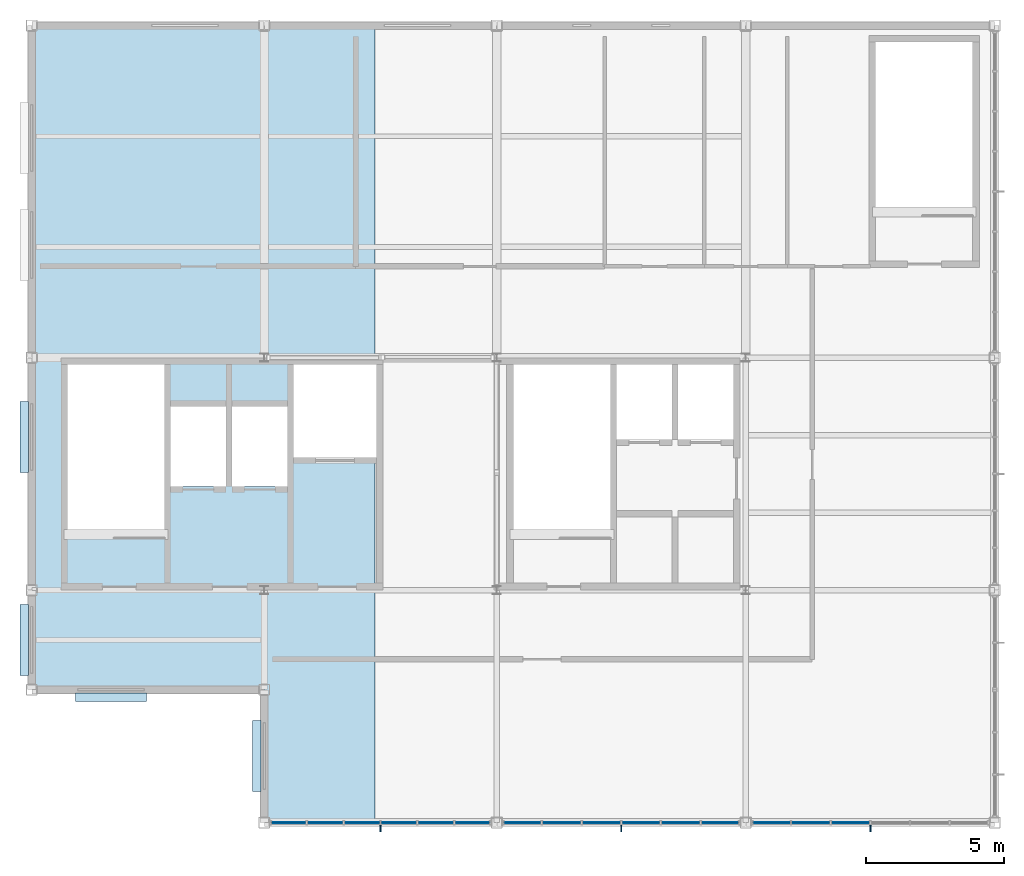
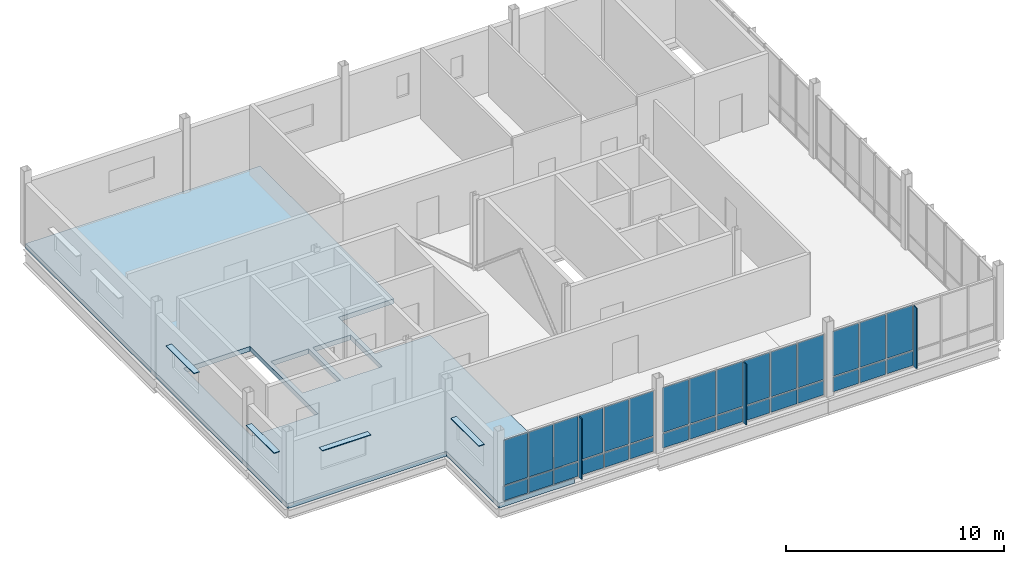
# One storey, part 9 of 15: 37 plates, 1 slab, 3 elements without a shape of their own.
"""IFC4 building model written with IfcOpenShell, lengths in metres."""

from ifc_helpers import new_model, si_unit, direction, frame, origin, origin_2d, place, context, subcontext, project, spatial, polyline, rectangle, outline, extrude, material, layer, layer_set, type_object, element, aggregate, save


model = new_model("IFC4")

# Units and contexts
model_context = context("Model", 3, precision=1e-05, world=origin(), true_north=direction((0.0, 1.0)))
body_context = subcontext(model_context, "Body", "Model", "MODEL_VIEW")
ifc_project = project(units=[si_unit("LENGTHUNIT", "METRE"), si_unit("AREAUNIT", "SQUARE_METRE"), si_unit("VOLUMEUNIT", "CUBIC_METRE"), si_unit("PLANEANGLEUNIT", "RADIAN"), si_unit("MASSUNIT", "GRAM", prefix="KILO")], contexts=[model_context])

# Site, building, storey
site_placement = place(None, origin())
site = spatial("IfcSite", under=ifc_project, at=site_placement, CompositionType="ELEMENT")
building_placement = place(site_placement, origin())
building = spatial("IfcBuilding", under=site, at=building_placement, Name="Yukiwa Park Conservatory and Herbarium", CompositionType="ELEMENT")
storey_placement = place(building_placement, frame((0.0, 0.0, 61.199951171875)))
storey = spatial("IfcBuildingStorey", under=building, at=storey_placement, Name="L16", CompositionType="ELEMENT", Elevation=61.199951171875)

# Curtain wall, plates
ifc_material_1 = material(Name="Triple Low-E Insulated Glass", Category="glass")
ifc_layer_1 = layer(ifc_material_1, 0.2119140625)
ifc_layer_set_1 = layer_set([ifc_layer_1], Name="Triple Low-E Insulated Glass")
curtain_wall_type = type_object("IfcCurtainWallType", Name="CW-TOWER-SKY-1400", PredefinedType="NOTDEFINED", material=ifc_layer_set_1)
curtain_wall_1_placement = place(storey_placement, origin())
curtain_wall_1 = element("IfcCurtainWall", 1, at=curtain_wall_1_placement, inside=storey, type_object=curtain_wall_type, Name="L16 unitised curtain wall CW-L16-152", PredefinedType="NOTDEFINED")
ifc_material_2 = material(Name="Triple Low-E Insulated Glass", Category="glass")
ifc_layer_2 = layer(ifc_material_2, 0.035888671875)
ifc_layer_set_2 = layer_set([ifc_layer_2], Name="Triple Low-E Insulated Glass")
plate_type_1 = type_object("IfcPlateType", Name="PL-CW-GLZ-36", PredefinedType="CURTAIN_PANEL", material=ifc_layer_set_2)
plate_1_placement = place(storey_placement, frame((142.466796875, 86.39990234375, 0.93505859375), z_axis=(0.0, 0.0, 1.0), x_axis=(1.0, 0.0, 0.0)))
plate_1 = element("IfcPlate", 2, at=plate_1_placement, type_object=plate_type_1, Name="CW-L16-152 vision panel 1.2", PredefinedType="CURTAIN_PANEL", context=body_context, shape_type="SweptSolid", body=[
    extrude(rectangle(XDim=1.26318359375, YDim=0.035888671875, at=origin_2d()), origin(), (0.0, 0.0, 1.0), 2.5048828125),
])
plate_2_placement = place(storey_placement, frame((143.800048828125, 86.39990234375, 0.93505859375), z_axis=(0.0, 0.0, 1.0), x_axis=(1.0, 0.0, 0.0)))
plate_2 = element("IfcPlate", 3, at=plate_2_placement, type_object=plate_type_1, Name="CW-L16-152 vision panel 2.2", PredefinedType="CURTAIN_PANEL", context=body_context, shape_type="SweptSolid", body=[
    extrude(rectangle(XDim=1.26318359375, YDim=0.035888671875, at=origin_2d()), origin(), (0.0, 0.0, 1.0), 2.5048828125),
])
plate_3_placement = place(storey_placement, frame((145.13330078125, 86.39990234375, 0.93505859375), z_axis=(0.0, 0.0, 1.0), x_axis=(1.0, 0.0, 0.0)))
plate_3 = element("IfcPlate", 4, at=plate_3_placement, type_object=plate_type_1, Name="CW-L16-152 vision panel 3.2", PredefinedType="CURTAIN_PANEL", context=body_context, shape_type="SweptSolid", body=[
    extrude(rectangle(XDim=1.26318359375, YDim=0.035888671875, at=origin_2d()), origin(), (0.0, 0.0, 1.0), 2.5048828125),
])
plate_4_placement = place(storey_placement, frame((146.466796875, 86.39990234375, 0.93505859375), z_axis=(0.0, 0.0, 1.0), x_axis=(1.0, 0.0, 0.0)))
plate_4 = element("IfcPlate", 5, at=plate_4_placement, type_object=plate_type_1, Name="CW-L16-152 vision panel 4.2", PredefinedType="CURTAIN_PANEL", context=body_context, shape_type="SweptSolid", body=[
    extrude(rectangle(XDim=1.26318359375, YDim=0.035888671875, at=origin_2d()), origin(), (0.0, 0.0, 1.0), 2.5048828125),
])
plate_5_placement = place(storey_placement, frame((147.800048828125, 86.39990234375, 0.93505859375), z_axis=(0.0, 0.0, 1.0), x_axis=(1.0, 0.0, 0.0)))
plate_5 = element("IfcPlate", 6, at=plate_5_placement, type_object=plate_type_1, Name="CW-L16-152 vision panel 5.2", PredefinedType="CURTAIN_PANEL", context=body_context, shape_type="SweptSolid", body=[
    extrude(rectangle(XDim=1.26318359375, YDim=0.035888671875, at=origin_2d()), origin(), (0.0, 0.0, 1.0), 2.5048828125),
])
plate_6_placement = place(storey_placement, frame((149.13330078125, 86.39990234375, 0.93505859375), z_axis=(0.0, 0.0, 1.0), x_axis=(1.0, 0.0, 0.0)))
plate_6 = element("IfcPlate", 7, at=plate_6_placement, type_object=plate_type_1, Name="CW-L16-152 vision panel 6.2", PredefinedType="CURTAIN_PANEL", context=body_context, shape_type="SweptSolid", body=[
    extrude(rectangle(XDim=1.26318359375, YDim=0.035888671875, at=origin_2d()), origin(), (0.0, 0.0, 1.0), 2.5048828125),
])

curtain_wall_2_placement = place(storey_placement, origin())
curtain_wall_2 = element("IfcCurtainWall", 8, at=curtain_wall_2_placement, inside=storey, type_object=curtain_wall_type, Name="L16 unitised curtain wall CW-L16-153", PredefinedType="NOTDEFINED")
plate_7_placement = place(storey_placement, frame((150.916748046875, 86.39990234375, 0.93505859375), z_axis=(0.0, 0.0, 1.0), x_axis=(1.0, 0.0, 0.0)))
plate_7 = element("IfcPlate", 9, at=plate_7_placement, type_object=plate_type_1, Name="CW-L16-153 vision panel 1.2", PredefinedType="CURTAIN_PANEL", context=body_context, shape_type="SweptSolid", body=[
    extrude(rectangle(XDim=1.36328125, YDim=0.035888671875, at=origin_2d()), origin(), (0.0, 0.0, 1.0), 2.5048828125),
])
plate_8_placement = place(storey_placement, frame((152.35009765625, 86.39990234375, 0.93505859375), z_axis=(0.0, 0.0, 1.0), x_axis=(1.0, 0.0, 0.0)))
plate_8 = element("IfcPlate", 10, at=plate_8_placement, type_object=plate_type_1, Name="CW-L16-153 vision panel 2.2", PredefinedType="CURTAIN_PANEL", context=body_context, shape_type="SweptSolid", body=[
    extrude(rectangle(XDim=1.36328125, YDim=0.035888671875, at=origin_2d()), origin(), (0.0, 0.0, 1.0), 2.5048828125),
])
plate_9_placement = place(storey_placement, frame((153.783203125, 86.39990234375, 0.93505859375), z_axis=(0.0, 0.0, 1.0), x_axis=(1.0, 0.0, 0.0)))
plate_9 = element("IfcPlate", 11, at=plate_9_placement, type_object=plate_type_1, Name="CW-L16-153 vision panel 3.2", PredefinedType="CURTAIN_PANEL", context=body_context, shape_type="SweptSolid", body=[
    extrude(rectangle(XDim=1.36328125, YDim=0.035888671875, at=origin_2d()), origin(), (0.0, 0.0, 1.0), 2.5048828125),
])
plate_10_placement = place(storey_placement, frame((155.216796875, 86.39990234375, 0.93505859375), z_axis=(0.0, 0.0, 1.0), x_axis=(1.0, 0.0, 0.0)))
plate_10 = element("IfcPlate", 12, at=plate_10_placement, type_object=plate_type_1, Name="CW-L16-153 vision panel 4.2", PredefinedType="CURTAIN_PANEL", context=body_context, shape_type="SweptSolid", body=[
    extrude(rectangle(XDim=1.36328125, YDim=0.035888671875, at=origin_2d()), origin(), (0.0, 0.0, 1.0), 2.5048828125),
])
plate_11_placement = place(storey_placement, frame((156.64990234375, 86.39990234375, 0.93505859375), z_axis=(0.0, 0.0, 1.0), x_axis=(1.0, 0.0, 0.0)))
plate_11 = element("IfcPlate", 13, at=plate_11_placement, type_object=plate_type_1, Name="CW-L16-153 vision panel 5.2", PredefinedType="CURTAIN_PANEL", context=body_context, shape_type="SweptSolid", body=[
    extrude(rectangle(XDim=1.36328125, YDim=0.035888671875, at=origin_2d()), origin(), (0.0, 0.0, 1.0), 2.5048828125),
])
plate_12_placement = place(storey_placement, frame((158.083251953125, 86.39990234375, 0.93505859375), z_axis=(0.0, 0.0, 1.0), x_axis=(1.0, 0.0, 0.0)))
plate_12 = element("IfcPlate", 14, at=plate_12_placement, type_object=plate_type_1, Name="CW-L16-153 vision panel 6.2", PredefinedType="CURTAIN_PANEL", context=body_context, shape_type="SweptSolid", body=[
    extrude(rectangle(XDim=1.36328125, YDim=0.035888671875, at=origin_2d()), origin(), (0.0, 0.0, 1.0), 2.5048828125),
])

curtain_wall_3_placement = place(storey_placement, origin())
curtain_wall_3 = element("IfcCurtainWall", 15, at=curtain_wall_3_placement, inside=storey, type_object=curtain_wall_type, Name="L16 unitised curtain wall CW-L16-154", PredefinedType="NOTDEFINED")
plate_13_placement = place(storey_placement, frame((159.916748046875, 86.39990234375, 0.93505859375), z_axis=(0.0, 0.0, 1.0), x_axis=(1.0, 0.0, 0.0)))
plate_13 = element("IfcPlate", 16, at=plate_13_placement, type_object=plate_type_1, Name="CW-L16-154 vision panel 1.2", PredefinedType="CURTAIN_PANEL", context=body_context, shape_type="SweptSolid", body=[
    extrude(rectangle(XDim=1.36328125, YDim=0.035888671875, at=origin_2d()), origin(), (0.0, 0.0, 1.0), 2.5048828125),
])
plate_14_placement = place(storey_placement, frame((161.35009765625, 86.39990234375, 0.93505859375), z_axis=(0.0, 0.0, 1.0), x_axis=(1.0, 0.0, 0.0)))
plate_14 = element("IfcPlate", 17, at=plate_14_placement, type_object=plate_type_1, Name="CW-L16-154 vision panel 2.2", PredefinedType="CURTAIN_PANEL", context=body_context, shape_type="SweptSolid", body=[
    extrude(rectangle(XDim=1.36328125, YDim=0.035888671875, at=origin_2d()), origin(), (0.0, 0.0, 1.0), 2.5048828125),
])
plate_15_placement = place(storey_placement, frame((162.783203125, 86.39990234375, 0.93505859375), z_axis=(0.0, 0.0, 1.0), x_axis=(1.0, 0.0, 0.0)))
plate_15 = element("IfcPlate", 18, at=plate_15_placement, type_object=plate_type_1, Name="CW-L16-154 vision panel 3.2", PredefinedType="CURTAIN_PANEL", context=body_context, shape_type="SweptSolid", body=[
    extrude(rectangle(XDim=1.36328125, YDim=0.035888671875, at=origin_2d()), origin(), (0.0, 0.0, 1.0), 2.5048828125),
])

# Plate
ifc_material_3 = material(Name="Anodised Aluminium", Category="aluminium")
ifc_layer_3 = layer(ifc_material_3, 0.044921875)
ifc_layer_set_3 = layer_set([ifc_layer_3], Name="Anodised Aluminium")
plate_type_2 = type_object("IfcPlateType", Name="PL-CW-SPN-45", PredefinedType="CURTAIN_PANEL", material=ifc_layer_set_3)
plate_16_placement = place(storey_placement, frame((142.466796875, 86.39990234375, 0.070068359375), z_axis=(0.0, 0.0, 1.0), x_axis=(1.0, 0.0, 0.0)))
plate_16 = element("IfcPlate", 19, at=plate_16_placement, type_object=plate_type_2, Name="CW-L16-152 spandrel panel 1.1", PredefinedType="CURTAIN_PANEL", context=body_context, shape_type="SweptSolid", body=[
    extrude(rectangle(XDim=1.26318359375, YDim=0.044921875, at=origin_2d()), origin(), (0.0, 0.0, 1.0), 0.794921875),
])

plate_17_placement = place(storey_placement, frame((143.800048828125, 86.39990234375, 0.070068359375), z_axis=(0.0, 0.0, 1.0), x_axis=(1.0, 0.0, 0.0)))
plate_17 = element("IfcPlate", 20, at=plate_17_placement, type_object=plate_type_2, Name="CW-L16-152 spandrel panel 2.1", PredefinedType="CURTAIN_PANEL", context=body_context, shape_type="SweptSolid", body=[
    extrude(rectangle(XDim=1.26318359375, YDim=0.044921875, at=origin_2d()), origin(), (0.0, 0.0, 1.0), 0.794921875),
])

plate_18_placement = place(storey_placement, frame((145.13330078125, 86.39990234375, 0.070068359375), z_axis=(0.0, 0.0, 1.0), x_axis=(1.0, 0.0, 0.0)))
plate_18 = element("IfcPlate", 21, at=plate_18_placement, type_object=plate_type_2, Name="CW-L16-152 spandrel panel 3.1", PredefinedType="CURTAIN_PANEL", context=body_context, shape_type="SweptSolid", body=[
    extrude(rectangle(XDim=1.26318359375, YDim=0.044921875, at=origin_2d()), origin(), (0.0, 0.0, 1.0), 0.794921875),
])

plate_19_placement = place(storey_placement, frame((146.466796875, 86.39990234375, 0.070068359375), z_axis=(0.0, 0.0, 1.0), x_axis=(1.0, 0.0, 0.0)))
plate_19 = element("IfcPlate", 22, at=plate_19_placement, type_object=plate_type_2, Name="CW-L16-152 spandrel panel 4.1", PredefinedType="CURTAIN_PANEL", context=body_context, shape_type="SweptSolid", body=[
    extrude(rectangle(XDim=1.26318359375, YDim=0.044921875, at=origin_2d()), origin(), (0.0, 0.0, 1.0), 0.794921875),
])

plate_20_placement = place(storey_placement, frame((147.800048828125, 86.39990234375, 0.070068359375), z_axis=(0.0, 0.0, 1.0), x_axis=(1.0, 0.0, 0.0)))
plate_20 = element("IfcPlate", 23, at=plate_20_placement, type_object=plate_type_2, Name="CW-L16-152 spandrel panel 5.1", PredefinedType="CURTAIN_PANEL", context=body_context, shape_type="SweptSolid", body=[
    extrude(rectangle(XDim=1.26318359375, YDim=0.044921875, at=origin_2d()), origin(), (0.0, 0.0, 1.0), 0.794921875),
])

plate_21_placement = place(storey_placement, frame((149.13330078125, 86.39990234375, 0.070068359375), z_axis=(0.0, 0.0, 1.0), x_axis=(1.0, 0.0, 0.0)))
plate_21 = element("IfcPlate", 24, at=plate_21_placement, type_object=plate_type_2, Name="CW-L16-152 spandrel panel 6.1", PredefinedType="CURTAIN_PANEL", context=body_context, shape_type="SweptSolid", body=[
    extrude(rectangle(XDim=1.26318359375, YDim=0.044921875, at=origin_2d()), origin(), (0.0, 0.0, 1.0), 0.794921875),
])

aggregate(curtain_wall_1, [plate_16, plate_1, plate_17, plate_2, plate_18, plate_3, plate_19, plate_4, plate_20, plate_5, plate_21, plate_6])

plate_22_placement = place(storey_placement, frame((150.916748046875, 86.39990234375, 0.070068359375), z_axis=(0.0, 0.0, 1.0), x_axis=(1.0, 0.0, 0.0)))
plate_22 = element("IfcPlate", 25, at=plate_22_placement, type_object=plate_type_2, Name="CW-L16-153 spandrel panel 1.1", PredefinedType="CURTAIN_PANEL", context=body_context, shape_type="SweptSolid", body=[
    extrude(rectangle(XDim=1.36328125, YDim=0.044921875, at=origin_2d()), origin(), (0.0, 0.0, 1.0), 0.794921875),
])

plate_23_placement = place(storey_placement, frame((152.35009765625, 86.39990234375, 0.070068359375), z_axis=(0.0, 0.0, 1.0), x_axis=(1.0, 0.0, 0.0)))
plate_23 = element("IfcPlate", 26, at=plate_23_placement, type_object=plate_type_2, Name="CW-L16-153 spandrel panel 2.1", PredefinedType="CURTAIN_PANEL", context=body_context, shape_type="SweptSolid", body=[
    extrude(rectangle(XDim=1.36328125, YDim=0.044921875, at=origin_2d()), origin(), (0.0, 0.0, 1.0), 0.794921875),
])

plate_24_placement = place(storey_placement, frame((153.783203125, 86.39990234375, 0.070068359375), z_axis=(0.0, 0.0, 1.0), x_axis=(1.0, 0.0, 0.0)))
plate_24 = element("IfcPlate", 27, at=plate_24_placement, type_object=plate_type_2, Name="CW-L16-153 spandrel panel 3.1", PredefinedType="CURTAIN_PANEL", context=body_context, shape_type="SweptSolid", body=[
    extrude(rectangle(XDim=1.36328125, YDim=0.044921875, at=origin_2d()), origin(), (0.0, 0.0, 1.0), 0.794921875),
])

plate_25_placement = place(storey_placement, frame((155.216796875, 86.39990234375, 0.070068359375), z_axis=(0.0, 0.0, 1.0), x_axis=(1.0, 0.0, 0.0)))
plate_25 = element("IfcPlate", 28, at=plate_25_placement, type_object=plate_type_2, Name="CW-L16-153 spandrel panel 4.1", PredefinedType="CURTAIN_PANEL", context=body_context, shape_type="SweptSolid", body=[
    extrude(rectangle(XDim=1.36328125, YDim=0.044921875, at=origin_2d()), origin(), (0.0, 0.0, 1.0), 0.794921875),
])

plate_26_placement = place(storey_placement, frame((156.64990234375, 86.39990234375, 0.070068359375), z_axis=(0.0, 0.0, 1.0), x_axis=(1.0, 0.0, 0.0)))
plate_26 = element("IfcPlate", 29, at=plate_26_placement, type_object=plate_type_2, Name="CW-L16-153 spandrel panel 5.1", PredefinedType="CURTAIN_PANEL", context=body_context, shape_type="SweptSolid", body=[
    extrude(rectangle(XDim=1.36328125, YDim=0.044921875, at=origin_2d()), origin(), (0.0, 0.0, 1.0), 0.794921875),
])

plate_27_placement = place(storey_placement, frame((158.083251953125, 86.39990234375, 0.070068359375), z_axis=(0.0, 0.0, 1.0), x_axis=(1.0, 0.0, 0.0)))
plate_27 = element("IfcPlate", 30, at=plate_27_placement, type_object=plate_type_2, Name="CW-L16-153 spandrel panel 6.1", PredefinedType="CURTAIN_PANEL", context=body_context, shape_type="SweptSolid", body=[
    extrude(rectangle(XDim=1.36328125, YDim=0.044921875, at=origin_2d()), origin(), (0.0, 0.0, 1.0), 0.794921875),
])

aggregate(curtain_wall_2, [plate_22, plate_7, plate_23, plate_8, plate_24, plate_9, plate_25, plate_10, plate_26, plate_11, plate_27, plate_12])

plate_28_placement = place(storey_placement, frame((159.916748046875, 86.39990234375, 0.070068359375), z_axis=(0.0, 0.0, 1.0), x_axis=(1.0, 0.0, 0.0)))
plate_28 = element("IfcPlate", 31, at=plate_28_placement, type_object=plate_type_2, Name="CW-L16-154 spandrel panel 1.1", PredefinedType="CURTAIN_PANEL", context=body_context, shape_type="SweptSolid", body=[
    extrude(rectangle(XDim=1.36328125, YDim=0.044921875, at=origin_2d()), origin(), (0.0, 0.0, 1.0), 0.794921875),
])

plate_29_placement = place(storey_placement, frame((161.35009765625, 86.39990234375, 0.070068359375), z_axis=(0.0, 0.0, 1.0), x_axis=(1.0, 0.0, 0.0)))
plate_29 = element("IfcPlate", 32, at=plate_29_placement, type_object=plate_type_2, Name="CW-L16-154 spandrel panel 2.1", PredefinedType="CURTAIN_PANEL", context=body_context, shape_type="SweptSolid", body=[
    extrude(rectangle(XDim=1.36328125, YDim=0.044921875, at=origin_2d()), origin(), (0.0, 0.0, 1.0), 0.794921875),
])

plate_30_placement = place(storey_placement, frame((162.783203125, 86.39990234375, 0.070068359375), z_axis=(0.0, 0.0, 1.0), x_axis=(1.0, 0.0, 0.0)))
plate_30 = element("IfcPlate", 33, at=plate_30_placement, type_object=plate_type_2, Name="CW-L16-154 spandrel panel 3.1", PredefinedType="CURTAIN_PANEL", context=body_context, shape_type="SweptSolid", body=[
    extrude(rectangle(XDim=1.36328125, YDim=0.044921875, at=origin_2d()), origin(), (0.0, 0.0, 1.0), 0.794921875),
])

aggregate(curtain_wall_3, [plate_28, plate_13, plate_29, plate_14, plate_30, plate_15])

# Plates
ifc_material_4 = material(Name="Anodised Aluminium", Category="aluminium")
ifc_layer_4 = layer(ifc_material_4, 0.050048828125)
ifc_layer_set_4 = layer_set([ifc_layer_4], Name="Anodised Aluminium")
plate_type_3 = type_object("IfcPlateType", Name="PL-FIN-ALU-50", PredefinedType="USERDEFINED", material=ifc_layer_set_4)
for number, where, z_axis, x_axis, name in (
    (34, (145.800048828125, 86.2099609375, 0.06005859375), (0.0, 0.0, 1.0), (1.0, 0.0, 0.0), "CW-L16-152 exterior vertical shading fin"),
    (35, (154.5, 86.2099609375, 0.06005859375), (0.0, 0.0, 1.0), (1.0, 0.0, 0.0), "CW-L16-153 exterior vertical shading fin"),
    (36, (163.5, 86.2099609375, 0.06005859375), (0.0, 0.0, 1.0), (1.0, 0.0, 0.0), "CW-L16-154 exterior vertical shading fin"),
):
    element("IfcPlate", number, at=place(storey_placement, frame(where, z_axis=z_axis, x_axis=x_axis)), inside=storey, type_object=plate_type_3, Name=name, ObjectType="SHADING FIN", PredefinedType="USERDEFINED", context=body_context, shape_type="SweptSolid", body=[
        extrude(rectangle(XDim=0.050048828125, YDim=0.280029296875, at=origin_2d()), origin(), (0.0, 0.0, 1.0), 3.389892578125),
    ])
ifc_material_5 = material(Name="Anodised Aluminium", Category="aluminium")
ifc_layer_5 = layer(ifc_material_5, 0.0400390625)
ifc_layer_set_5 = layer_set([ifc_layer_5], Name="Anodised Aluminium")
plate_type_4 = type_object("IfcPlateType", Name="PL-SHADE-ALU-40", PredefinedType="SHEET", material=ifc_layer_set_5)
for number, where, z_axis, x_axis, name in (
    (37, (132.925048828125, 100.3330078125, 2.64013671875), (0.0, 0.0, 1.0), (0.0, -1.0, 0.0), "L16 snow-shedding window hood 188"),
    (38, (132.925048828125, 93.0, 2.64013671875), (0.0, 0.0, 1.0), (0.0, -1.0, 0.0), "L16 snow-shedding window hood 189"),
    (39, (136.06689453125, 90.925048828125, 2.64013671875), (0.0, 0.0, 1.0), (1.0, 0.0, 0.0), "L16 snow-shedding window hood 190"),
    (40, (141.324951171875, 88.800048828125, 2.64013671875), (0.0, 0.0, 1.0), (0.0, -1.0, 0.0), "L16 snow-shedding window hood 191"),
):
    element("IfcPlate", number, at=place(storey_placement, frame(where, z_axis=z_axis, x_axis=x_axis)), inside=storey, type_object=plate_type_4, Name=name, PredefinedType="SHEET", context=body_context, shape_type="SweptSolid", body=[
        extrude(rectangle(XDim=2.56005859375, YDim=0.300048828125, at=origin_2d()), origin(), (0.0, 0.0, 1.0), 0.0400390625),
    ])

# Slab
ifc_material_6 = material(Name="Concrete C40", Category="concrete")
ifc_layer_6 = layer(ifc_material_6, 0.27001953125)
ifc_layer_set_6 = layer_set([ifc_layer_6], Name="Concrete C40")
slab_type = type_object("IfcSlabType", Name="SL-FLR-270", PredefinedType="FLOOR", material=ifc_layer_set_6)
slab_placement = place(storey_placement, frame((0.0, 0.0, -0.27001953125)))
element("IfcSlab", 41, at=slab_placement, inside=storey, type_object=slab_type, Name="L16 composite structural floor slab V5W", PredefinedType="FLOOR", context=body_context, shape_type="SweptSolid", body=[
    extrude(outline(polyline([(141.60009765625, 91.199951171875), (133.199951171875, 91.199951171875), (133.199951171875, 115.199951171875), (145.60009765625, 115.199951171875), (145.60009765625, 102.949951171875), (142.659912109375, 102.949951171875), (142.659912109375, 99.60009765625), (145.60009765625, 99.60009765625), (145.60009765625, 86.39990234375), (141.60009765625, 86.39990234375), (141.60009765625, 91.199951171875)]), holes=[polyline([(134.489990234375, 102.949951171875), (134.489990234375, 96.72998046875), (138.0, 96.72998046875), (138.0, 102.949951171875), (134.489990234375, 102.949951171875)]), polyline([(138.219970703125, 101.43994140625), (138.219970703125, 98.5400390625), (140.219970703125, 98.5400390625), (140.219970703125, 101.43994140625), (138.219970703125, 101.43994140625)]), polyline([(140.43994140625, 101.43994140625), (140.43994140625, 98.5400390625), (142.43994140625, 98.5400390625), (142.43994140625, 101.43994140625), (140.43994140625, 101.43994140625)])]), origin(), (0.0, 0.0, 1.0), 0.27001953125),
])

save(model, "model.ifc")
